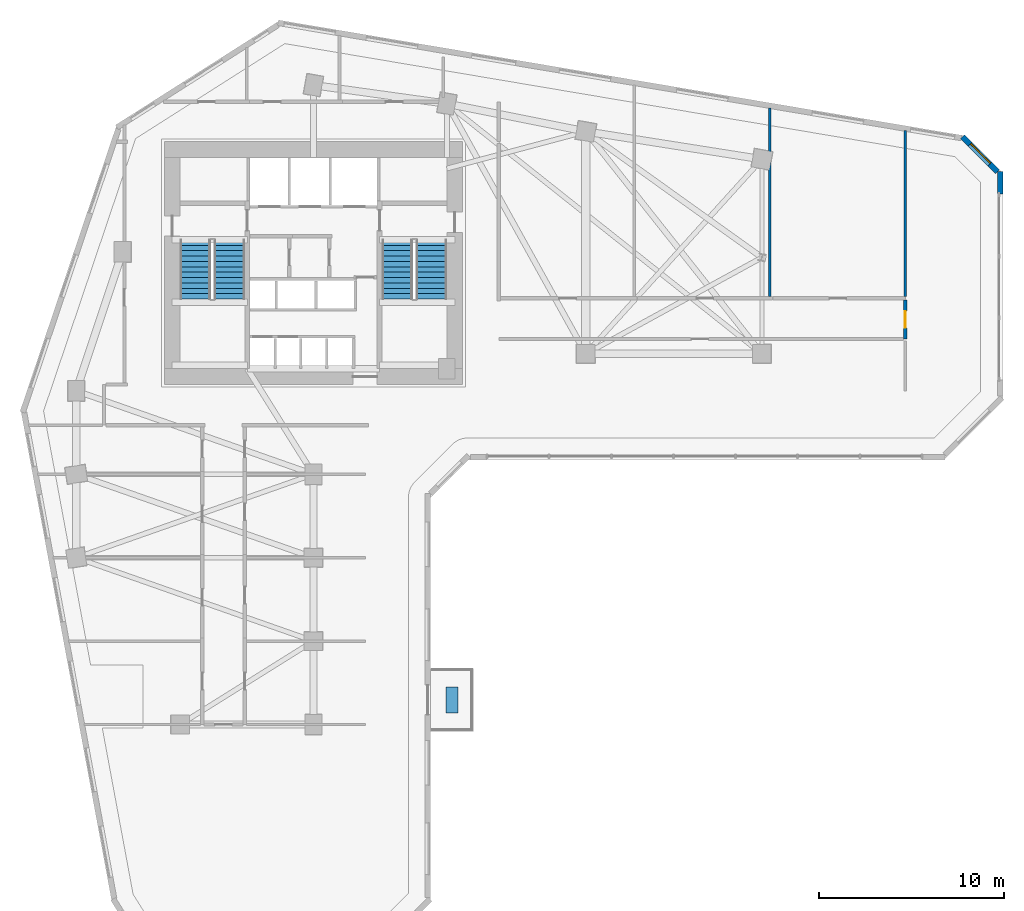
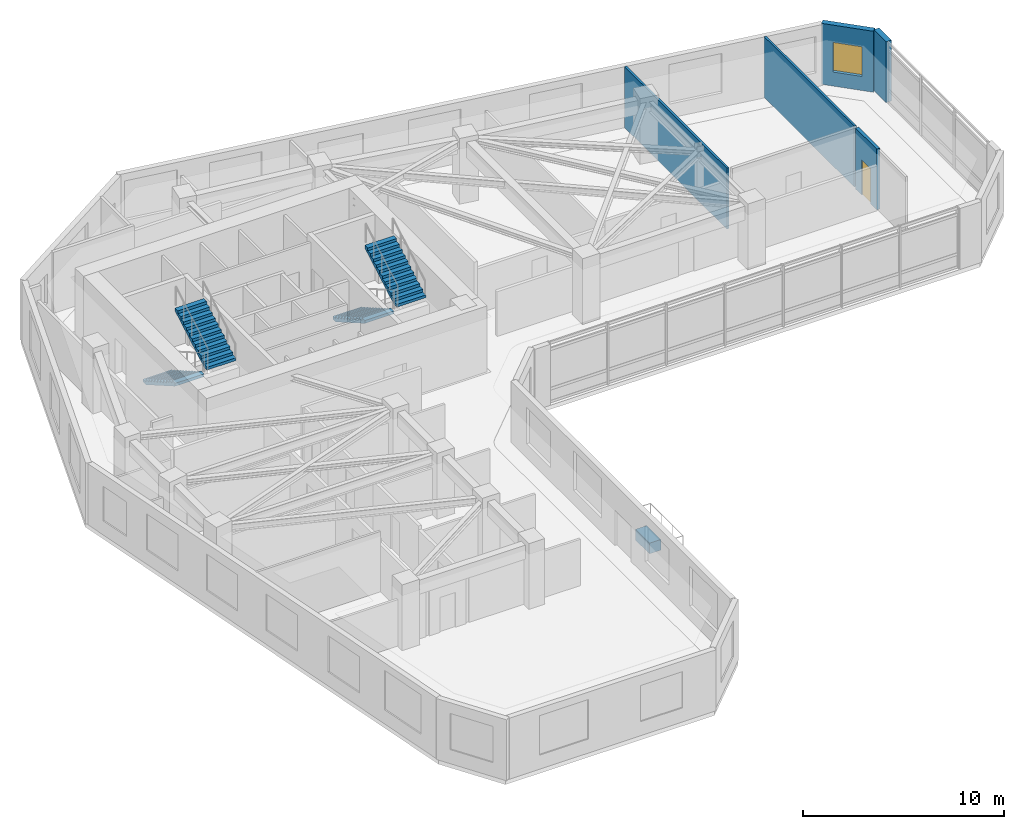
# One storey, part 9 of 11: 5 walls, 4 stair flights, 1 discrete accessory, 1 door, 1 window, 2 openings, 2 elements without a shape of their own.
"""IFC4 building model written with IfcOpenShell, lengths in metres."""

from ifc_helpers import new_model, si_unit, direction, frame, frame_2d, origin, origin_2d, place, context, subcontext, project, spatial, polyline, rectangle, outline, extrude, source, transform, mapped, material, layer, layer_set, type_object, element, fill, aggregate, save


model = new_model("IFC4")

# Units and contexts
model_context = context("Model", 3, precision=1e-05, world=origin(), true_north=direction((0.0, 1.0)))
body_context = subcontext(model_context, "Body", "Model", "MODEL_VIEW")
ifc_project = project(units=[si_unit("LENGTHUNIT", "METRE"), si_unit("AREAUNIT", "SQUARE_METRE"), si_unit("VOLUMEUNIT", "CUBIC_METRE"), si_unit("PLANEANGLEUNIT", "RADIAN"), si_unit("MASSUNIT", "GRAM", prefix="KILO")], contexts=[model_context])

# Site, building, storey
site_placement = place(None, origin())
site = spatial("IfcSite", under=ifc_project, at=site_placement, CompositionType="ELEMENT")
building_placement = place(site_placement, origin())
building = spatial("IfcBuilding", under=site, at=building_placement, Name="Calvemar Wedge Station Tower", CompositionType="ELEMENT")
storey_placement = place(building_placement, frame((0.0, 0.0, 59.0)))
storey = spatial("IfcBuildingStorey", under=building, at=storey_placement, Name="L14", CompositionType="ELEMENT", Elevation=59.0)

# Wall, opening, door
ifc_material_1 = material(Name="Double-stud fire-rated corridor partition")
ifc_layer_1 = layer(ifc_material_1, 0.179931640625)
ifc_layer_set_1 = layer_set([ifc_layer_1], Name="Double-stud fire-rated corridor partition")
wall_type_1 = type_object("IfcWallType", Name="W-CORR-180", PredefinedType="PARTITIONING", material=ifc_layer_set_1)
wall_1_placement = place(storey_placement, frame((55.735107421875, 37.906005859375, 0.0), z_axis=(0.0, 0.0, 1.0), x_axis=(0.0, -1.0, 0.0)))
wall_1 = element("IfcWall", 1, at=wall_1_placement, inside=storey, type_object=wall_type_1, Name="Storey L14 Interior Partition WL-L14-023", PredefinedType="PARTITIONING", context=body_context, shape_type="SweptSolid", body=[
    extrude(rectangle(XDim=2.10595703125, YDim=0.179931640625, at=frame_2d((1.052978515625, 0.0))), origin(), (0.0, 0.0, 1.0), 3.699951171875),
])
shared_shape_1 = source(origin(), body_context, "Body", "SweptSolid", [
    extrude(rectangle(XDim=0.89990234375, YDim=2.14990234375, at=frame_2d((0.449951171875, 1.074951171875))), frame((0.0, 0.10009765625, 0.0), z_axis=(0.0, -1.0, 0.0), x_axis=(1.0, 0.0, 0.0)), (0.0, 0.0, 1.0), 0.199951171875),
])
opening_1_placement = place(wall_1_placement, frame((0.60302734375, 0.0, 0.0)))
opening_1 = element("IfcOpeningElement", 2, at=opening_1_placement, cuts=wall_1, Name="Opening D-01", PredefinedType="OPENING", context=body_context, shape_type="MappedRepresentation", body=[
    mapped(shared_shape_1, transform((0.0, 0.0, 0.0), scale=1.0)),
])
ifc_material_2 = material(Name="Architectural hardwood acoustic swing door", Category="wood")
door_type = type_object("IfcDoorType", Name="DR-INT-900", OperationType="NOTDEFINED", PredefinedType="DOOR", material=ifc_material_2)
shared_shape_2 = source(origin(), body_context, "Body", "SweptSolid", [
    extrude(rectangle(XDim=0.89990234375, YDim=2.14990234375, at=frame_2d((0.449951171875, 1.074951171875))), frame((0.0, 0.02490234375, 0.0), z_axis=(0.0, -1.0, 0.0), x_axis=(1.0, 0.0, 0.0)), (0.0, 0.0, 1.0), 0.050048828125),
])
door_placement = place(opening_1_placement, origin())
door = element("IfcDoor", 3, at=door_placement, inside=storey, type_object=door_type, Name="L14 Design Library Door", OperationType="SINGLE_SWING_LEFT", OverallHeight=2.14990234375, OverallWidth=0.89990234375, PredefinedType="DOOR", context=body_context, shape_type="MappedRepresentation", body=[
    mapped(shared_shape_2, transform((0.0, 0.0, 0.0), scale=1.0)),
])
fill(opening_1, door)

# Wall
ifc_material_3 = material(Name="Precast concrete C45", Category="concrete")
ifc_layer_2 = layer(ifc_material_3, 0.300048828125)
ifc_layer_set_2 = layer_set([ifc_layer_2], Name="Precast concrete C45")
wall_type_2 = type_object("IfcWallType", Name="W-EXT-GFRC-300", PredefinedType="SOLIDWALL", material=ifc_layer_set_2)
wall_2_placement = place(storey_placement, frame((60.85009765625, 43.622802734375, 0.0), z_axis=(0.0, 0.0, 1.0), x_axis=(0.0, 1.0, 0.0)))
element("IfcWall", 4, at=wall_2_placement, inside=storey, type_object=wall_type_2, Name="Storey L14 Bronze GFRC Corner Pier 8B", PredefinedType="SOLIDWALL", context=body_context, shape_type="SweptSolid", body=[
    extrude(rectangle(XDim=1.22509765625, YDim=0.300048828125, at=frame_2d((0.612548828125, 0.0))), origin(), (0.0, 0.0, 1.0), 3.699951171875),
])

# Wall, opening, window
wall_3_placement = place(storey_placement, frame((60.7119140625, 44.8359375, 0.0), z_axis=(0.0, 0.0, 1.0), x_axis=(-0.707106781187, 0.707106781187, 0.0)))
wall_3 = element("IfcWall", 5, at=wall_3_placement, inside=storey, type_object=wall_type_2, Name="Storey L14 Bronze GFRC Exterior Wall 9", PredefinedType="SOLIDWALL", context=body_context, shape_type="SweptSolid", body=[
    extrude(rectangle(XDim=2.673095703125, YDim=0.300048828125, at=frame_2d((1.33642578125, 0.0))), origin(), (0.0, 0.0, 1.0), 3.699951171875),
])
shared_shape_3 = source(origin(), body_context, "Body", "SweptSolid", [
    extrude(rectangle(XDim=1.5, YDim=1.800048828125, at=frame_2d((0.75, 0.89990234375))), frame((0.0, 0.16015625, 0.0), z_axis=(0.0, -1.0, 0.0), x_axis=(1.0, 0.0, 0.0)), (0.0, 0.0, 1.0), 0.320068359375),
])
opening_2_placement = place(wall_3_placement, frame((0.5869140625, 0.0, 0.85009765625)))
opening_2 = element("IfcOpeningElement", 6, at=opening_2_placement, cuts=wall_3, Name="Opening W3", PredefinedType="OPENING", context=body_context, shape_type="MappedRepresentation", body=[
    mapped(shared_shape_3, transform((0.0, 0.0, 0.0), scale=1.0)),
])
ifc_material_4 = material(Name="Low-E laminated insulated glass", Category="glass")
window_type = type_object("IfcWindowType", Name="WIN-EXT-3", PartitioningType="SINGLE_PANEL", PredefinedType="WINDOW", material=ifc_material_4)
shared_shape_4 = source(origin(), body_context, "Body", "SweptSolid", [
    extrude(rectangle(XDim=1.5, YDim=1.800048828125, at=frame_2d((0.75, 0.89990234375))), frame((0.0, -0.014892578125, 0.0), z_axis=(0.0, -1.0, 0.0), x_axis=(1.0, 0.0, 0.0)), (0.0, 0.0, 1.0), 0.06005859375),
])
window_placement = place(opening_2_placement, origin())
window = element("IfcWindow", 7, at=window_placement, inside=storey, type_object=window_type, Name="Storey L14 Recessed Window 9.1", OverallHeight=1.800048828125, OverallWidth=1.5, PartitioningType="SINGLE_PANEL", PredefinedType="WINDOW", context=body_context, shape_type="MappedRepresentation", body=[
    mapped(shared_shape_4, transform((0.0, 0.0, 0.0), scale=1.0)),
])
fill(opening_2, window)

# Walls
ifc_material_5 = material(Name="Insulated acoustic gypsum stud partition")
ifc_layer_3 = layer(ifc_material_5, 0.125)
ifc_layer_set_3 = layer_set([ifc_layer_3], Name="Insulated acoustic gypsum stud partition")
wall_type_3 = type_object("IfcWallType", Name="W-PART-125", PredefinedType="PARTITIONING", material=ifc_layer_set_3)
wall_4_placement = place(storey_placement, frame((48.423095703125, 48.275146484375, 0.0), z_axis=(0.0, 0.0, 1.0), x_axis=(0.0, -1.0, 0.0)))
element("IfcWall", 8, at=wall_4_placement, inside=storey, type_object=wall_type_3, Name="Storey L14 Interior Partition WL-L14-026", PredefinedType="PARTITIONING", context=body_context, shape_type="SweptSolid", body=[
    extrude(rectangle(XDim=10.18115234375, YDim=0.125, at=frame_2d((5.090576171875, 0.0))), origin(), (0.0, 0.0, 1.0), 3.699951171875),
])
wall_5_placement = place(storey_placement, frame((55.735107421875, 47.0419921875, 0.0), z_axis=(0.0, 0.0, 1.0), x_axis=(0.0, -1.0, 0.0)))
element("IfcWall", 9, at=wall_5_placement, inside=storey, type_object=wall_type_3, Name="Storey L14 Interior Partition WL-L14-027", PredefinedType="PARTITIONING", context=body_context, shape_type="SweptSolid", body=[
    extrude(rectangle(XDim=8.947998046875, YDim=0.125, at=frame_2d((4.47412109375, 0.0))), origin(), (0.0, 0.0, 1.0), 3.699951171875),
])

# Stair, stair flights
ifc_material_6 = material(Name="Concrete C45", Category="concrete")
stair_type = type_object("IfcStairType", Name="ST-TYPE-4000", PredefinedType="HALF_TURN_STAIR", material=ifc_material_6)
stair_1_placement = place(storey_placement, origin())
stair_1 = element("IfcStair", 10, at=stair_1_placement, inside=storey, type_object=stair_type, Name="L14 Pressurized Core Exit Stair ST-C1", PredefinedType="HALF_TURN_STAIR")
stair_flight_type = type_object("IfcStairFlightType", Name="STF-TYPE-4000", PredefinedType="STRAIGHT", material=ifc_material_6)
stair_flight_1_placement = place(storey_placement, frame((17.429931640625, 41.14990234375, 0.0), z_axis=(0.0, 0.0, 1.0), x_axis=(0.0, -1.0, 0.0)))
stair_flight_1 = element("IfcStairFlight", 11, at=stair_flight_1_placement, type_object=stair_flight_type, Name="ST-C1 flight 1", NumberOfRisers=12, NumberOfTreads=11, PredefinedType="STRAIGHT", RiserHeight=0.166666667, TreadLength=0.29, context=body_context, shape_type="SweptSolid", body=[
    extrude(outline(polyline([(0.0, 0.0), (0.0, 0.166748046875), (0.2900390625, 0.166748046875), (0.2900390625, 0.333251953125), (0.580078125, 0.333251953125), (0.580078125, 0.5), (0.8701171875, 0.5), (0.8701171875, 0.666748046875), (1.159912109375, 0.666748046875), (1.159912109375, 0.833251953125), (1.449951171875, 0.833251953125), (1.449951171875, 1.0), (1.739990234375, 1.0), (1.739990234375, 1.166748046875), (2.030029296875, 1.166748046875), (2.030029296875, 1.333251953125), (2.320068359375, 1.333251953125), (2.320068359375, 1.5), (2.610107421875, 1.5), (2.610107421875, 1.666748046875), (2.89990234375, 1.666748046875), (2.89990234375, 1.833251953125), (3.18994140625, 1.833251953125), (3.18994140625, 2.0), (3.18994140625, 1.660400390625), (0.30078125, 0.0), (0.0, 0.0)])), frame((0.0, 0.830078125, 0.0), z_axis=(0.0, -1.0, 0.0), x_axis=(1.0, 0.0, 0.0)), (0.0, 0.0, 1.0), 1.659912109375),
])
stair_flight_2_placement = place(storey_placement, frame((19.27001953125, 37.9599609375, 2.0), z_axis=(0.0, 0.0, 1.0), x_axis=(0.0, 1.0, 0.0)))
stair_flight_2 = element("IfcStairFlight", 12, at=stair_flight_2_placement, type_object=stair_flight_type, Name="ST-C1 flight 2", NumberOfRisers=12, NumberOfTreads=11, PredefinedType="STRAIGHT", RiserHeight=0.166666667, TreadLength=0.29, context=body_context, shape_type="SweptSolid", body=[
    extrude(outline(polyline([(0.0, 0.0), (0.0, 0.166748046875), (0.2900390625, 0.166748046875), (0.2900390625, 0.333251953125), (0.580078125, 0.333251953125), (0.580078125, 0.5), (0.8701171875, 0.5), (0.8701171875, 0.666748046875), (1.159912109375, 0.666748046875), (1.159912109375, 0.833251953125), (1.449951171875, 0.833251953125), (1.449951171875, 1.0), (1.739990234375, 1.0), (1.739990234375, 1.166748046875), (2.030029296875, 1.166748046875), (2.030029296875, 1.333251953125), (2.320068359375, 1.333251953125), (2.320068359375, 1.5), (2.610107421875, 1.5), (2.610107421875, 1.666748046875), (2.89990234375, 1.666748046875), (2.89990234375, 1.833251953125), (3.18994140625, 1.833251953125), (3.18994140625, 2.0), (3.18994140625, 1.660400390625), (0.30078125, 0.0), (0.0, 0.0)])), frame((0.0, 0.830078125, 0.0), z_axis=(0.0, -1.0, 0.0), x_axis=(1.0, 0.0, 0.0)), (0.0, 0.0, 1.0), 1.659912109375),
])
aggregate(stair_1, [stair_flight_1, stair_flight_2])

stair_2_placement = place(storey_placement, origin())
stair_2 = element("IfcStair", 13, at=stair_2_placement, inside=storey, type_object=stair_type, Name="L14 Pressurized Core Exit Stair ST-C2", PredefinedType="HALF_TURN_STAIR")
stair_flight_3_placement = place(storey_placement, frame((28.330078125, 41.14990234375, 0.0), z_axis=(0.0, 0.0, 1.0), x_axis=(0.0, -1.0, 0.0)))
stair_flight_3 = element("IfcStairFlight", 14, at=stair_flight_3_placement, type_object=stair_flight_type, Name="ST-C2 flight 1", NumberOfRisers=12, NumberOfTreads=11, PredefinedType="STRAIGHT", RiserHeight=0.166666667, TreadLength=0.29, context=body_context, shape_type="SweptSolid", body=[
    extrude(outline(polyline([(0.0, 0.0), (0.0, 0.166748046875), (0.2900390625, 0.166748046875), (0.2900390625, 0.333251953125), (0.580078125, 0.333251953125), (0.580078125, 0.5), (0.8701171875, 0.5), (0.8701171875, 0.666748046875), (1.159912109375, 0.666748046875), (1.159912109375, 0.833251953125), (1.449951171875, 0.833251953125), (1.449951171875, 1.0), (1.739990234375, 1.0), (1.739990234375, 1.166748046875), (2.030029296875, 1.166748046875), (2.030029296875, 1.333251953125), (2.320068359375, 1.333251953125), (2.320068359375, 1.5), (2.610107421875, 1.5), (2.610107421875, 1.666748046875), (2.89990234375, 1.666748046875), (2.89990234375, 1.833251953125), (3.18994140625, 1.833251953125), (3.18994140625, 2.0), (3.18994140625, 1.660400390625), (0.30078125, 0.0), (0.0, 0.0)])), frame((0.0, 0.830078125, 0.0), z_axis=(0.0, -1.0, 0.0), x_axis=(1.0, 0.0, 0.0)), (0.0, 0.0, 1.0), 1.659912109375),
])
stair_flight_4_placement = place(storey_placement, frame((30.169921875, 37.9599609375, 2.0), z_axis=(0.0, 0.0, 1.0), x_axis=(0.0, 1.0, 0.0)))
stair_flight_4 = element("IfcStairFlight", 15, at=stair_flight_4_placement, type_object=stair_flight_type, Name="ST-C2 flight 2", NumberOfRisers=12, NumberOfTreads=11, PredefinedType="STRAIGHT", RiserHeight=0.166666667, TreadLength=0.29, context=body_context, shape_type="SweptSolid", body=[
    extrude(outline(polyline([(0.0, 0.0), (0.0, 0.166748046875), (0.2900390625, 0.166748046875), (0.2900390625, 0.333251953125), (0.580078125, 0.333251953125), (0.580078125, 0.5), (0.8701171875, 0.5), (0.8701171875, 0.666748046875), (1.159912109375, 0.666748046875), (1.159912109375, 0.833251953125), (1.449951171875, 0.833251953125), (1.449951171875, 1.0), (1.739990234375, 1.0), (1.739990234375, 1.166748046875), (2.030029296875, 1.166748046875), (2.030029296875, 1.333251953125), (2.320068359375, 1.333251953125), (2.320068359375, 1.5), (2.610107421875, 1.5), (2.610107421875, 1.666748046875), (2.89990234375, 1.666748046875), (2.89990234375, 1.833251953125), (3.18994140625, 1.833251953125), (3.18994140625, 2.0), (3.18994140625, 1.660400390625), (0.30078125, 0.0), (0.0, 0.0)])), frame((0.0, 0.830078125, 0.0), z_axis=(0.0, -1.0, 0.0), x_axis=(1.0, 0.0, 0.0)), (0.0, 0.0, 1.0), 1.659912109375),
])
aggregate(stair_2, [stair_flight_3, stair_flight_4])

# Discrete accessory
discrete_accessory_type = type_object("IfcDiscreteAccessoryType", Name="ACC-PLANTER", PredefinedType="USERDEFINED", material=ifc_material_3)
shared_shape_5 = source(origin(), body_context, "Body", "SweptSolid", [
    extrude(rectangle(XDim=0.64990234375, YDim=1.39990234375, at=origin_2d()), origin(), (0.0, 0.0, 1.0), 0.64990234375),
])
discrete_accessory_placement = place(storey_placement, frame((31.278076171875, 16.330078125, 0.0), z_axis=(0.0, 0.0, 1.0), x_axis=(1.0, 0.0, 0.0)))
element("IfcDiscreteAccessory", 16, at=discrete_accessory_placement, inside=storey, type_object=discrete_accessory_type, Name="Storey L14 Planted Terrace GFRC Planter", ObjectType="PLANTER", PredefinedType="USERDEFINED", context=body_context, shape_type="MappedRepresentation", body=[
    mapped(shared_shape_5, transform((0.0, 0.0, 0.0), scale=1.0)),
])

save(model, "model.ifc")
